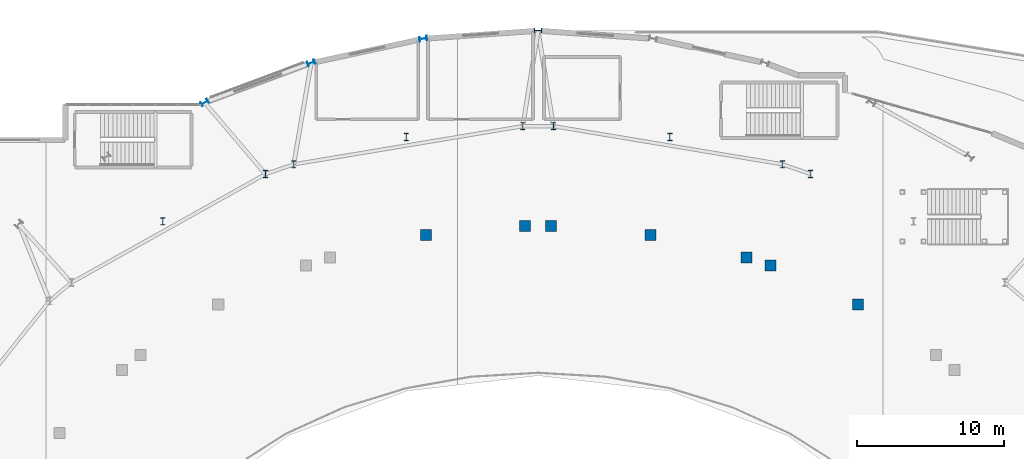
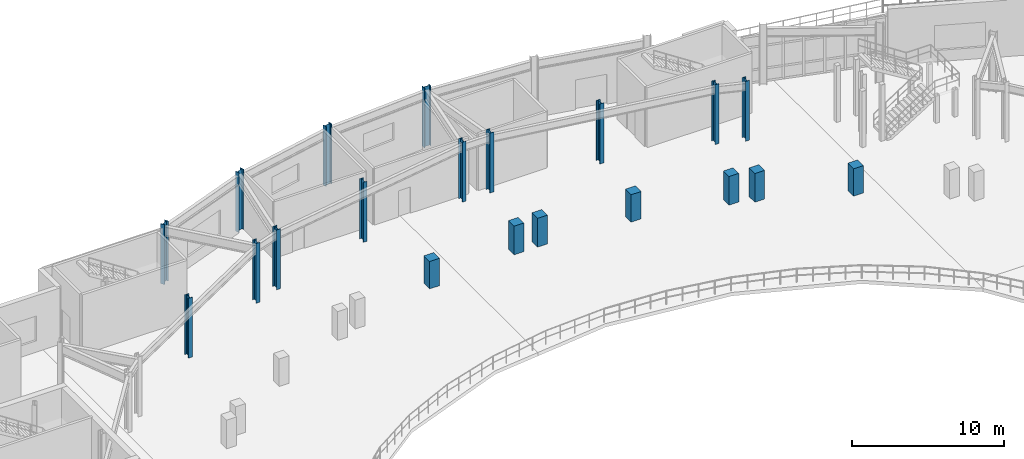
# One storey, part 13 of 84: 20 columns.
"""IFC4 building model written with IfcOpenShell, lengths in metres."""

import ifcopenshell
import ifcopenshell.guid

model = None  # the IFC model being written
_history = None  # IfcOwnerHistory: only IFC2X3 demands one
_inside = {}  # id of a spatial element -> (the spatial element, [elements in it])
_under = {}  # id of a project, library or spatial element -> (it, [spatial elements below it])
_declared = {}  # id of a project -> (the project, [libraries it declares])
_typed = {}  # id of a type object -> (the type object, [elements of that type])
_made_of = {}  # id of a material, layer set ... -> (it, [elements and type objects made of it])


def new_model(schema):
    """Start an empty IFC model of exactly this schema.

    Asked for "IFC4X3", IfcOpenShell would pick the latest addendum, in which some entities
    have other attributes; the version numbers below select the first issue.
    IFC2X3 requires an IfcOwnerHistory on every rooted entity: one is made here for all.
    """
    global model, _history
    if schema == "IFC4X3":
        model = ifcopenshell.file(schema_version=(4, 3, 0, 0))
    else:
        model = ifcopenshell.file(schema=schema)
    _inside.clear()
    _under.clear()
    _declared.clear()
    _typed.clear()
    _made_of.clear()
    _history = None
    if model.schema == "IFC2X3":
        org = make("IfcOrganization", Name="unknown")
        user = make(
            "IfcPersonAndOrganization",
            ThePerson=make("IfcPerson", FamilyName="unknown"),
            TheOrganization=org,
        )
        app = make(
            "IfcApplication",
            ApplicationDeveloper=org,
            Version="unknown",
            ApplicationFullName="unknown",
            ApplicationIdentifier="unknown",
        )
        _history = make(
            "IfcOwnerHistory",
            OwningUser=user,
            OwningApplication=app,
            ChangeAction="ADDED",
            CreationDate=0,
        )
    return model


def make(cls, **values):
    """One entity of the class cls with the attributes given. An attribute that is None is left unset."""
    return model.create_entity(
        cls, **{name: value for name, value in values.items() if value is not None}
    )


def rooted(cls, **values):
    """An entity with a GlobalId (a new one), such as an element, a storey or a relation."""
    return make(cls, GlobalId=ifcopenshell.guid.new(), OwnerHistory=_history, **values)


def si_unit(unit_type, name, prefix=None):
    """IfcSIUnit, for example si_unit("LENGTHUNIT", "METRE", prefix="MILLI")."""
    return make("IfcSIUnit", UnitType=unit_type, Prefix=prefix, Name=name)


def assignment(units):
    """IfcUnitAssignment: the units of a project."""
    return None if units is None else make("IfcUnitAssignment", Units=units)


def point(xyz):
    """IfcCartesianPoint."""
    return None if xyz is None else make("IfcCartesianPoint", Coordinates=xyz)


def direction(xyz):
    """IfcDirection."""
    return None if xyz is None else make("IfcDirection", DirectionRatios=xyz)


def frame(location, z_axis=None, x_axis=None):
    """IfcAxis2Placement3D, a coordinate frame: its origin and axes. An axis left out is left unset."""
    return make(
        "IfcAxis2Placement3D",
        Location=point(location),
        Axis=direction(z_axis),
        RefDirection=direction(x_axis),
    )


def frame_2d(location, x_axis=None):
    """IfcAxis2Placement2D, a coordinate frame in the plane: its origin and x axis."""
    return make(
        "IfcAxis2Placement2D", Location=point(location), RefDirection=direction(x_axis)
    )


def origin():
    """The frame at (0, 0, 0) with its axes left unset."""
    return frame((0.0, 0.0, 0.0))


def origin_2d():
    """The frame at (0, 0) in the plane with its x axis left unset."""
    return frame_2d((0.0, 0.0))


def place(relative_to, where):
    """IfcLocalPlacement: puts the frame where relative to a parent placement (None: the world)."""
    return make(
        "IfcLocalPlacement", PlacementRelTo=relative_to, RelativePlacement=where
    )


def context(
    kind, dimensions, precision=None, world=None, true_north=None, identifier=None
):
    """IfcGeometricRepresentationContext, for example the 3D "Model" context."""
    return make(
        "IfcGeometricRepresentationContext",
        ContextIdentifier=identifier,
        ContextType=kind,
        CoordinateSpaceDimension=dimensions,
        Precision=precision,
        WorldCoordinateSystem=world,
        TrueNorth=true_north,
    )


def subcontext(parent, identifier, kind, view, scale=None):
    """IfcGeometricRepresentationSubContext, for example "Body" below "Model"."""
    return make(
        "IfcGeometricRepresentationSubContext",
        ContextIdentifier=identifier,
        ContextType=kind,
        ParentContext=parent,
        TargetScale=scale,
        TargetView=view,
    )


def project(units=None, contexts=None):
    """IfcProject with its units and contexts."""
    return rooted(
        "IfcProject",
        Name="project",
        RepresentationContexts=contexts,
        UnitsInContext=assignment(units),
    )


def spatial(cls, under=None, at=None, **own):
    """A site, building, storey or space (cls), placed at a placement, below another one or the project."""
    s = rooted(cls, ObjectPlacement=at, **own)
    if under is not None:
        _under.setdefault(under.id(), (under, []))[1].append(s)
    return s


def profile(cls, at=None, kind="AREA", **sizes):
    """A parametric profile (cls). Its sizes go by their IFC names, for example OverallWidth=200.0."""
    return make(cls, ProfileType=kind, Position=at, **sizes)


def rectangle(**sizes):
    """IfcRectangleProfileDef."""
    return profile("IfcRectangleProfileDef", **sizes)


def i_section(**sizes):
    """IfcIShapeProfileDef."""
    return profile("IfcIShapeProfileDef", **sizes)


def extrude(swept, where, along, depth):
    """IfcExtrudedAreaSolid: the profile swept, set in the frame where, extruded along a direction by depth."""
    return make(
        "IfcExtrudedAreaSolid",
        SweptArea=swept,
        Position=where,
        ExtrudedDirection=direction(along),
        Depth=depth,
    )


def shape(context_of_items, identifier, shape_type, items):
    """IfcShapeRepresentation: the items that make up one representation, for example the "Body"."""
    return make(
        "IfcShapeRepresentation",
        ContextOfItems=context_of_items,
        RepresentationIdentifier=identifier,
        RepresentationType=shape_type,
        Items=items,
    )


def material(Name=None, Category=None):
    """IfcMaterial."""
    return make("IfcMaterial", Name=Name, Category=Category)


def material_profile(
    of_material, cross_section, Name=None, Category=None, Priority=None
):
    """IfcMaterialProfile: a cross section and its material."""
    return make(
        "IfcMaterialProfile",
        Name=Name,
        Material=of_material,
        Profile=cross_section,
        Priority=Priority,
        Category=Category,
    )


def profile_set(profiles, Name=None, composite=None):
    """IfcMaterialProfileSet."""
    return make(
        "IfcMaterialProfileSet",
        Name=Name,
        MaterialProfiles=profiles,
        CompositeProfile=composite,
    )


def made_of(thing, what):
    """Note that an element or type object is made of a material, layer set ...; save() writes the relation."""
    if what is not None:
        _made_of.setdefault(what.id(), (what, []))[1].append(thing)
    return thing


def type_object(cls, material=None, **own):
    """A type object (cls), such as IfcWallType, which elements share."""
    return made_of(rooted(cls, **own), material)


def element(
    cls,
    number,
    at=None,
    inside=None,
    cuts=None,
    type_object=None,
    material=None,
    context=None,
    identifier="Body",
    shape_type=None,
    held_by="IfcProductDefinitionShape",
    body=None,
    shapes=None,
    **own,
):
    """One element of the class cls, such as IfcWall. Its Tag is "e" and its number.

    at: its placement. inside: the storey or other place that contains it. cuts: it is an
    opening in that element (IfcRelVoidsElement). A single representation is given by context,
    identifier, shape_type and body (its items); several are given by shapes. held_by: the class
    of the entity that holds the representations. save() writes the other relations.
    """
    e = rooted(cls, Tag="e%d" % number, ObjectPlacement=at, **own)
    if body is not None:
        shapes = [shape(context, identifier, shape_type, body)]
    if shapes is not None:
        e.Representation = make(held_by, Representations=shapes)
    if inside is not None:
        _inside.setdefault(inside.id(), (inside, []))[1].append(e)
    if cuts is not None:
        rooted(
            "IfcRelVoidsElement", RelatingBuildingElement=cuts, RelatedOpeningElement=e
        )
    if type_object is not None:
        _typed.setdefault(type_object.id(), (type_object, []))[1].append(e)
    return made_of(e, material)


def aggregate(whole, parts):
    """IfcRelAggregates: a whole, such as a stair, and the parts it consists of."""
    return rooted("IfcRelAggregates", RelatingObject=whole, RelatedObjects=parts)


def save(model, path):
    """Write the relations noted so far, then the file.

    IfcRelAggregates (storeys below a building ...), IfcRelContainedInSpatialStructure (elements
    in a storey), IfcRelDefinesByType, IfcRelAssociatesMaterial and IfcRelDeclares: one each for
    every whole, place, type object, material and project.
    """
    for whole, parts in _under.values():
        aggregate(whole, parts)
    for where, things in _inside.values():
        rooted(
            "IfcRelContainedInSpatialStructure",
            RelatedElements=things,
            RelatingStructure=where,
        )
    for kind, things in _typed.values():
        rooted("IfcRelDefinesByType", RelatedObjects=things, RelatingType=kind)
    for what, things in _made_of.values():
        rooted("IfcRelAssociatesMaterial", RelatedObjects=things, RelatingMaterial=what)
    for by, libraries in _declared.values():
        rooted("IfcRelDeclares", RelatingContext=by, RelatedDefinitions=libraries)
    model.write(path)


model = new_model("IFC4")

# Units and contexts
model_context = context("Model", 3, precision=1e-05, world=origin(), true_north=direction((0.0, 1.0)))
body_context = subcontext(model_context, "Body", "Model", "MODEL_VIEW")
ifc_project = project(units=[si_unit("LENGTHUNIT", "METRE"), si_unit("AREAUNIT", "SQUARE_METRE"), si_unit("VOLUMEUNIT", "CUBIC_METRE"), si_unit("PLANEANGLEUNIT", "RADIAN"), si_unit("MASSUNIT", "GRAM", prefix="KILO")], contexts=[model_context])

# Site, building, storey
site_placement = place(None, origin())
site = spatial("IfcSite", under=ifc_project, at=site_placement, CompositionType="ELEMENT")
building_placement = place(site_placement, origin())
building = spatial("IfcBuilding", under=site, at=building_placement, Name="Glasvene Arena", CompositionType="ELEMENT")
storey_placement = place(building_placement, frame((0.0, 0.0, 10.199951171875)))
storey = spatial("IfcBuildingStorey", under=building, at=storey_placement, Name="L02", CompositionType="ELEMENT", Elevation=10.199951171875)

# Columns
ifc_material_1 = material(Name="Concrete C40/50", Category="concrete")
ifc_material_profile_1 = material_profile(ifc_material_1, rectangle(XDim=0.75, YDim=0.75, at=origin_2d()), Name="RC 750x750")
ifc_profile_set_1 = profile_set([ifc_material_profile_1], Name="Concrete C40/50")
column_type_1 = type_object("IfcColumnType", Name="COL-MID-RC750", PredefinedType="COLUMN", material=ifc_profile_set_1)
for number, where, z_axis, x_axis, name in (
    (1, (107.819091796875, 102.004150390625, 0.0), (0.0, 0.0, 1.0), (1.0, 0.0, 0.0), "Mid-bowl fulcrum column L02 03-2"),
    (2, (106.17578125, 102.5546875, 0.0), (0.0, 0.0, 1.0), (1.0, 0.0, 0.0), "Mid-bowl fulcrum column L02 04-1"),
    (3, (92.889404296875, 104.69189453125, 0.0), (0.0, 0.0, 1.0), (1.0, 0.0, 0.0), "Mid-bowl fulcrum column L02 04-2"),
    (4, (91.110595703125, 104.69189453125, 0.0), (0.0, 0.0, 1.0), (1.0, 0.0, 0.0), "Mid-bowl fulcrum column L02 05-1"),
):
    element("IfcColumn", number, at=place(storey_placement, frame(where, z_axis=z_axis, x_axis=x_axis)), inside=storey, type_object=column_type_1, Name=name, PredefinedType="COLUMN", context=body_context, shape_type="SweptSolid", body=[
        extrude(rectangle(XDim=0.75, YDim=0.75, at=origin_2d()), origin(), (0.0, 0.0, 1.0), 2.300048828125),
    ])
for number, where, z_axis, x_axis, name in (
    (5, (113.7783203125, 99.357666015625, 0.0), (0.0, 0.0, 1.0), (1.0, 0.0, 0.0), "Mid-sector fulcrum column L02 03"),
    (6, (99.6474609375, 104.0908203125, 0.0), (0.0, 0.0, 1.0), (1.0, 0.0, 0.0), "Mid-sector fulcrum column L02 04"),
    (7, (84.3525390625, 104.0908203125, 0.0), (0.0, 0.0, 1.0), (1.0, 0.0, 0.0), "Mid-sector fulcrum column L02 05"),
):
    element("IfcColumn", number, at=place(storey_placement, frame(where, z_axis=z_axis, x_axis=x_axis)), inside=storey, type_object=column_type_1, Name=name, PredefinedType="COLUMN", context=body_context, shape_type="SweptSolid", body=[
        extrude(rectangle(XDim=0.75, YDim=0.75, at=origin_2d()), origin(), (0.0, 0.0, 1.0), 2.199951171875),
    ])
ifc_material_2 = material(Name="Steel S355J2", Category="steel")
ifc_material_profile_2 = material_profile(ifc_material_2, i_section(OverallWidth=0.305908203125, OverallDepth=0.52392578125, WebThickness=0.02099609375, FlangeThickness=0.0400390625, FilletRadius=0.027099609375, at=origin_2d()), Name="HEM 500")
ifc_profile_set_2 = profile_set([ifc_material_profile_2], Name="Steel S355J2")
column_type_2 = type_object("IfcColumnType", Name="COL-RING-HEM500", PredefinedType="COLUMN", material=ifc_profile_set_2)
for number, where, z_axis, x_axis, name in (
    (8, (92.0, 118.0, 0.0), (0.0, 0.0, 1.0), (0.0, 1.0, 0.0), "Bowl ring column R11 L02"),
    (9, (84.17822265625, 117.446044921875, 0.0), (0.0, 0.0, 1.0), (-0.173304404339, 0.984868307662, 0.0), "Bowl ring column R12 L02"),
    (10, (76.54931640625, 115.797607421875, 0.0), (0.0, 0.0, 1.0), (-0.339558864524, 0.94058480613, 0.0), "Bowl ring column R13 L02"),
    (11, (69.300537109375, 113.09521484375, 0.0), (0.0, 0.0, 1.0), (-0.492727341548, 0.87018375467, 0.0), "Bowl ring column R14 L02"),
):
    element("IfcColumn", number, at=place(storey_placement, frame(where, z_axis=z_axis, x_axis=x_axis)), inside=storey, type_object=column_type_2, Name=name, PredefinedType="COLUMN", context=body_context, shape_type="SweptSolid", body=[
        extrude(i_section(OverallWidth=0.305908203125, OverallDepth=0.52392578125, WebThickness=0.02099609375, FlangeThickness=0.0400390625, FilletRadius=0.027099609375, at=origin_2d()), origin(), (0.0, 0.0, 1.0), 4.800048828125),
    ])
ifc_material_profile_3 = material_profile(ifc_material_2, i_section(OverallWidth=0.300048828125, OverallDepth=0.5, WebThickness=0.014404296875, FlangeThickness=0.028076171875, FilletRadius=0.027099609375, at=origin_2d()), Name="HEB 500")
ifc_profile_set_3 = profile_set([ifc_material_profile_3], Name="Steel S355J2")
column_type_3 = type_object("IfcColumnType", Name="COL-W-HEB500", PredefinedType="COLUMN", material=ifc_profile_set_3)
for number, where, z_axis, x_axis, name in (
    (12, (110.56298828125, 108.225830078125, 0.0), (0.0, 0.0, 1.0), (1.0, 0.0, 0.0), "Upper raker rear column L02 03-2"),
    (13, (108.634765625, 108.89453125, 0.0), (0.0, 0.0, 1.0), (1.0, 0.0, 0.0), "Upper raker rear column L02 04-1"),
    (14, (93.043701171875, 111.489990234375, 0.0), (0.0, 0.0, 1.0), (1.0, 0.0, 0.0), "Upper raker rear column L02 04-2"),
    (15, (90.956298828125, 111.489990234375, 0.0), (0.0, 0.0, 1.0), (1.0, 0.0, 0.0), "Upper raker rear column L02 05-1"),
    (16, (75.365234375, 108.89453125, 0.0), (0.0, 0.0, 1.0), (1.0, 0.0, 0.0), "Upper raker rear column L02 05-2"),
    (17, (73.43701171875, 108.225830078125, 0.0), (0.0, 0.0, 1.0), (1.0, 0.0, 0.0), "Upper raker rear column L02 06-1"),
    (18, (100.97412109375, 110.76025390625, 0.0), (0.0, 0.0, 1.0), (1.0, 0.0, 0.0), "Mid-sector rear raker column L02 04"),
    (19, (83.02587890625, 110.76025390625, 0.0), (0.0, 0.0, 1.0), (1.0, 0.0, 0.0), "Mid-sector rear raker column L02 05"),
    (20, (66.44384765625, 105.01171875, 0.0), (0.0, 0.0, 1.0), (1.0, 0.0, 0.0), "Mid-sector rear raker column L02 06"),
):
    element("IfcColumn", number, at=place(storey_placement, frame(where, z_axis=z_axis, x_axis=x_axis)), inside=storey, type_object=column_type_3, Name=name, PredefinedType="COLUMN", context=body_context, shape_type="SweptSolid", body=[
        extrude(i_section(OverallWidth=0.300048828125, OverallDepth=0.5, WebThickness=0.014404296875, FlangeThickness=0.028076171875, FilletRadius=0.027099609375, at=origin_2d()), origin(), (0.0, 0.0, 1.0), 4.800048828125),
    ])

save(model, "model.ifc")
